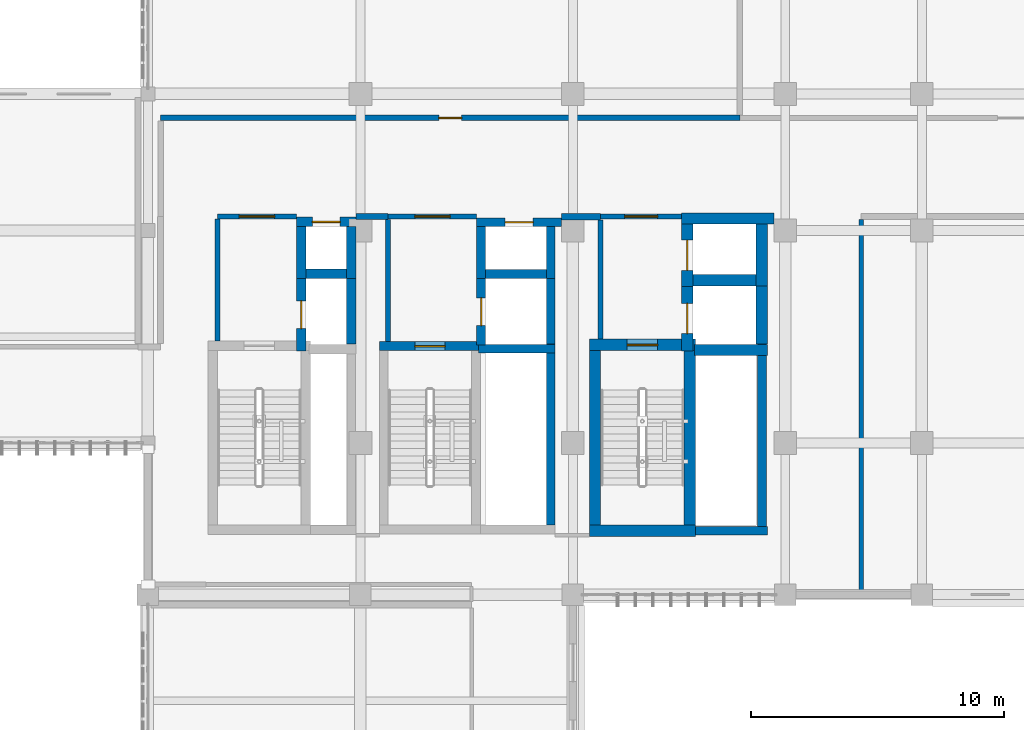
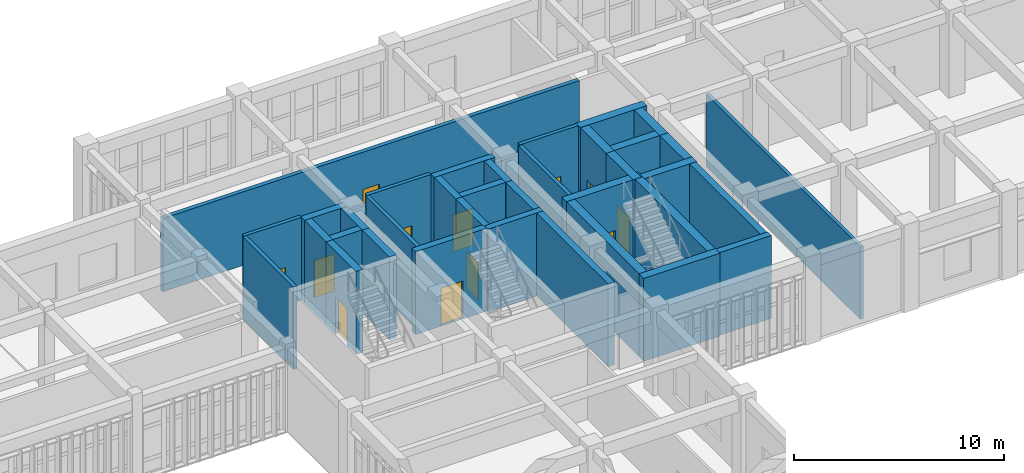
# One storey, part 96 of 106: 38 walls, 12 doors, 12 openings.
"""IFC4 building model written with IfcOpenShell, lengths in metres."""

from ifc_helpers import new_model, si_unit, direction, frame, frame_2d, origin, place, context, subcontext, project, spatial, rectangle, extrude, material, layer, layer_set, type_object, element, fill, save


model = new_model("IFC4")

# Units and contexts
model_context = context("Model", 3, precision=1e-05, world=origin(), true_north=direction((0.0, 1.0)))
body_context = subcontext(model_context, "Body", "Model", "MODEL_VIEW")
ifc_project = project(units=[si_unit("LENGTHUNIT", "METRE"), si_unit("AREAUNIT", "SQUARE_METRE"), si_unit("VOLUMEUNIT", "CUBIC_METRE"), si_unit("PLANEANGLEUNIT", "RADIAN"), si_unit("MASSUNIT", "GRAM", prefix="KILO")], contexts=[model_context])

# Site, building, storey
site_placement = place(None, origin())
site = spatial("IfcSite", under=ifc_project, at=site_placement, CompositionType="ELEMENT")
building_placement = place(site_placement, origin())
building = spatial("IfcBuilding", under=site, at=building_placement, Name="Krzemoval Escarpment Law Courts", CompositionType="ELEMENT")
storey_placement = place(building_placement, frame((0.0, 0.0, 5.10009765625)))
storey = spatial("IfcBuildingStorey", under=building, at=storey_placement, Name="L01", CompositionType="ELEMENT", Elevation=5.10009765625)

# Wall
ifc_material_1 = material(Name="Judicial Chambers Acoustic Partition", Category="gypsum")
ifc_layer_1 = layer(ifc_material_1, 0.179931640625)
ifc_layer_set_1 = layer_set([ifc_layer_1], Name="Judicial Chambers Acoustic Partition")
wall_type_1 = type_object("IfcWallType", Name="WL-PRT-180", PredefinedType="PARTITIONING", material=ifc_layer_set_1)
wall_1_placement = place(storey_placement, frame((154.199951171875, 93.751953125, 0.0), z_axis=(0.0, 0.0, 1.0), x_axis=(0.0, 1.0, 0.0)))
element("IfcWall", 1, at=wall_1_placement, inside=storey, type_object=wall_type_1, Name="Interior Partition PW-L01-0360", PredefinedType="PARTITIONING", context=body_context, shape_type="SweptSolid", body=[
    extrude(rectangle(XDim=14.676025390625, YDim=0.179931640625, at=frame_2d((7.337890625, 0.0))), origin(), (0.0, 0.0, 1.0), 4.219970703125),
])

# Wall, opening, door
ifc_material_2 = material(Name="Fire-Rated Corridor Partition Wall", Category="gypsum")
ifc_layer_2 = layer(ifc_material_2, 0.199951171875)
ifc_layer_set_2 = layer_set([ifc_layer_2], Name="Fire-Rated Corridor Partition Wall")
wall_type_2 = type_object("IfcWallType", Name="WL-PRT-200", PredefinedType="PARTITIONING", material=ifc_layer_set_2)
wall_2_placement = place(storey_placement, frame((128.75, 108.550048828125, 0.0), z_axis=(0.0, 0.0, 1.0), x_axis=(1.0, 0.0, 0.0)))
wall_2 = element("IfcWall", 2, at=wall_2_placement, inside=storey, type_object=wall_type_2, Name="Interior Partition PW-L01-0288", PredefinedType="PARTITIONING", context=body_context, shape_type="SweptSolid", body=[
    extrude(rectangle(XDim=3.1201171875, YDim=0.199951171875, at=frame_2d((1.56005859375, 0.0))), origin(), (0.0, 0.0, 1.0), 4.81982421875),
])
opening_1_placement = place(wall_2_placement, frame((0.860107421875, 0.0, 0.0)))
opening_1 = element("IfcOpeningElement", 3, at=opening_1_placement, cuts=wall_2, Name="Opening D-L01-0080", PredefinedType="OPENING", context=body_context, shape_type="SweptSolid", body=[
    extrude(rectangle(XDim=1.39990234375, YDim=2.199951171875, at=frame_2d((0.699951171875, 1.10009765625))), frame((0.0, 0.11498, 0.0), z_axis=(0.0, -1.0, 0.0), x_axis=(1.0, 0.0, 0.0)), (0.0, 0.0, 1.0), 0.22995),
])
ifc_material_3 = material(Name="Galvanised Steel S355", Category="steel")
door_type_1 = type_object("IfcDoorType", Name="DR-FFL-1400x2200", OperationType="SINGLE_SWING_LEFT", PredefinedType="DOOR", material=ifc_material_3)
door_1_placement = place(opening_1_placement, origin())
door_1 = element("IfcDoor", 4, at=door_1_placement, inside=storey, type_object=door_type_1, Name="Room Door D-L01-0080", OperationType="SINGLE_SWING_LEFT", OverallHeight=2.199951171875, OverallWidth=1.39990234375, PredefinedType="DOOR", context=body_context, shape_type="SweptSolid", body=[
    extrude(rectangle(XDim=1.39990234375, YDim=2.199951171875, at=frame_2d((0.699951171875, 1.10009765625))), frame((0.0, 0.02490234375, 0.0), z_axis=(0.0, -1.0, 0.0), x_axis=(1.0, 0.0, 0.0)), (0.0, 0.0, 1.0), 0.050048828125),
])
fill(opening_1, door_1)

wall_3_placement = place(storey_placement, frame((135.5, 108.550048828125, 0.0), z_axis=(0.0, 0.0, 1.0), x_axis=(1.0, 0.0, 0.0)))
wall_3 = element("IfcWall", 5, at=wall_3_placement, inside=storey, type_object=wall_type_2, Name="Interior Partition PW-L01-0289", PredefinedType="PARTITIONING", context=body_context, shape_type="SweptSolid", body=[
    extrude(rectangle(XDim=3.5, YDim=0.199951171875, at=frame_2d((1.75, 0.0))), origin(), (0.0, 0.0, 1.0), 4.81982421875),
])
opening_2_placement = place(wall_3_placement, frame((1.050048828125, 0.0, 0.0)))
opening_2 = element("IfcOpeningElement", 6, at=opening_2_placement, cuts=wall_3, Name="Opening D-L01-0081", PredefinedType="OPENING", context=body_context, shape_type="SweptSolid", body=[
    extrude(rectangle(XDim=1.39990234375, YDim=2.199951171875, at=frame_2d((0.699951171875, 1.10009765625))), frame((0.0, 0.11498, 0.0), z_axis=(0.0, -1.0, 0.0), x_axis=(1.0, 0.0, 0.0)), (0.0, 0.0, 1.0), 0.22995),
])
door_2_placement = place(opening_2_placement, origin())
door_2 = element("IfcDoor", 7, at=door_2_placement, inside=storey, type_object=door_type_1, Name="Room Door D-L01-0081", OperationType="SINGLE_SWING_LEFT", OverallHeight=2.199951171875, OverallWidth=1.39990234375, PredefinedType="DOOR", context=body_context, shape_type="SweptSolid", body=[
    extrude(rectangle(XDim=1.39990234375, YDim=2.199951171875, at=frame_2d((0.699951171875, 1.10009765625))), frame((0.0, 0.02490234375, 0.0), z_axis=(0.0, -1.0, 0.0), x_axis=(1.0, 0.0, 0.0)), (0.0, 0.0, 1.0), 0.050048828125),
])
fill(opening_2, door_2)

wall_4_placement = place(storey_placement, frame((143.89990234375, 108.550048828125, 0.0), z_axis=(0.0, 0.0, 1.0), x_axis=(1.0, 0.0, 0.0)))
wall_4 = element("IfcWall", 8, at=wall_4_placement, inside=storey, type_object=wall_type_2, Name="Interior Partition PW-L01-0290", PredefinedType="PARTITIONING", context=body_context, shape_type="SweptSolid", body=[
    extrude(rectangle(XDim=3.2001953125, YDim=0.199951171875, at=frame_2d((1.60009765625, 0.0))), origin(), (0.0, 0.0, 1.0), 4.81982421875),
])
opening_3_placement = place(wall_4_placement, frame((0.949951171875, 0.0, 0.0)))
opening_3 = element("IfcOpeningElement", 9, at=opening_3_placement, cuts=wall_4, Name="Opening D-L01-0082", PredefinedType="OPENING", context=body_context, shape_type="SweptSolid", body=[
    extrude(rectangle(XDim=1.300048828125, YDim=2.199951171875, at=frame_2d((0.64990234375, 1.10009765625))), frame((0.0, 0.11498, 0.0), z_axis=(0.0, -1.0, 0.0), x_axis=(1.0, 0.0, 0.0)), (0.0, 0.0, 1.0), 0.22995),
])
ifc_material_4 = material(Name="Galvanised Steel S355", Category="steel")
door_type_2 = type_object("IfcDoorType", Name="DR-STR-1300x2200", OperationType="SINGLE_SWING_LEFT", PredefinedType="DOOR", material=ifc_material_4)
door_3_placement = place(opening_3_placement, origin())
door_3 = element("IfcDoor", 10, at=door_3_placement, inside=storey, type_object=door_type_2, Name="Room Door D-L01-0082", OperationType="SINGLE_SWING_RIGHT", OverallHeight=2.199951171875, OverallWidth=1.300048828125, PredefinedType="DOOR", context=body_context, shape_type="SweptSolid", body=[
    extrude(rectangle(XDim=1.300048828125, YDim=2.199951171875, at=frame_2d((0.64990234375, 1.10009765625))), frame((0.0, 0.02490234375, 0.0), z_axis=(0.0, -1.0, 0.0), x_axis=(1.0, 0.0, 0.0)), (0.0, 0.0, 1.0), 0.050048828125),
])
fill(opening_3, door_3)

# Walls
wall_5_placement = place(storey_placement, frame((128.75, 103.632080078125, 0.0), z_axis=(0.0, 0.0, 1.0), x_axis=(0.0, 1.0, 0.0)))
element("IfcWall", 11, at=wall_5_placement, inside=storey, type_object=wall_type_2, Name="Interior Partition PW-L01-0350", PredefinedType="PARTITIONING", context=body_context, shape_type="SweptSolid", body=[
    extrude(rectangle(XDim=4.81591796875, YDim=0.199951171875, at=frame_2d((2.407958984375, 0.0))), origin(), (0.0, 0.0, 1.0), 4.81982421875),
])
wall_6_placement = place(storey_placement, frame((135.5, 103.60205078125, 0.0), z_axis=(0.0, 0.0, 1.0), x_axis=(0.0, 1.0, 0.0)))
element("IfcWall", 12, at=wall_6_placement, inside=storey, type_object=wall_type_2, Name="Interior Partition PW-L01-0352", PredefinedType="PARTITIONING", context=body_context, shape_type="SweptSolid", body=[
    extrude(rectangle(XDim=4.8310546875, YDim=0.199951171875, at=frame_2d((2.41552734375, 0.0))), origin(), (0.0, 0.0, 1.0), 4.81982421875),
])
wall_7_placement = place(storey_placement, frame((143.89990234375, 103.701904296875, 0.0), z_axis=(0.0, 0.0, 1.0), x_axis=(0.0, 1.0, 0.0)))
element("IfcWall", 13, at=wall_7_placement, inside=storey, type_object=wall_type_2, Name="Interior Partition PW-L01-0358", PredefinedType="PARTITIONING", context=body_context, shape_type="SweptSolid", body=[
    extrude(rectangle(XDim=4.716064453125, YDim=0.199951171875, at=frame_2d((2.35791015625, 0.0))), origin(), (0.0, 0.0, 1.0), 4.81982421875),
])

# Wall, opening, door
ifc_material_5 = material(Name="Solid Calcium-Silicate Custody Blockwork Partition", Category="masonry")
ifc_layer_3 = layer(ifc_material_5, 0.219970703125)
ifc_layer_set_3 = layer_set([ifc_layer_3], Name="Solid Calcium-Silicate Custody Blockwork Partition")
wall_type_3 = type_object("IfcWallType", Name="WL-PRT-220", PredefinedType="PARTITIONING", material=ifc_layer_set_3)
wall_8_placement = place(storey_placement, frame((126.5, 112.449951171875, 0.0), z_axis=(0.0, 0.0, 1.0), x_axis=(1.0, 0.0, 0.0)))
wall_8 = element("IfcWall", 14, at=wall_8_placement, inside=storey, type_object=wall_type_3, Name="Interior Partition PW-L01-0294", PredefinedType="PARTITIONING", context=body_context, shape_type="SweptSolid", body=[
    extrude(rectangle(XDim=22.89990234375, YDim=0.219970703125, at=frame_2d((11.449951171875, 0.0))), origin(), (0.0, 0.0, 1.0), 4.27001953125),
])
opening_4_placement = place(wall_8_placement, frame((11.0, 0.0, 0.0)))
opening_4 = element("IfcOpeningElement", 15, at=opening_4_placement, cuts=wall_8, Name="Opening D-L01-0123", PredefinedType="OPENING", context=body_context, shape_type="SweptSolid", body=[
    extrude(rectangle(XDim=0.89990234375, YDim=2.10009765625, at=frame_2d((0.449951171875, 1.050048828125))), frame((0.0, 0.12499, 0.0), z_axis=(0.0, -1.0, 0.0), x_axis=(1.0, 0.0, 0.0)), (0.0, 0.0, 1.0), 0.24997),
])
ifc_material_6 = material(Name="Engineered Solid-Core Oak Acoustic Timber", Category="wood")
door_type_3 = type_object("IfcDoorType", Name="DR-INT-900x2100", OperationType="SINGLE_SWING_LEFT", PredefinedType="DOOR", material=ifc_material_6)
door_4_placement = place(opening_4_placement, origin())
door_4 = element("IfcDoor", 16, at=door_4_placement, inside=storey, type_object=door_type_3, Name="Room Door D-L01-0123", OperationType="SINGLE_SWING_RIGHT", OverallHeight=2.10009765625, OverallWidth=0.89990234375, PredefinedType="DOOR", context=body_context, shape_type="SweptSolid", body=[
    extrude(rectangle(XDim=0.89990234375, YDim=2.10009765625, at=frame_2d((0.449951171875, 1.050048828125))), frame((0.0, 0.02490234375, 0.0), z_axis=(0.0, -1.0, 0.0), x_axis=(1.0, 0.0, 0.0)), (0.0, 0.0, 1.0), 0.050048828125),
])
fill(opening_4, door_4)

# Walls
ifc_material_7 = material(Name="Acoustic Calcium-Silicate Block Wall", Category="masonry")
ifc_layer_4 = layer(ifc_material_7, 0.22998046875)
ifc_layer_set_4 = layer_set([ifc_layer_4], Name="Acoustic Calcium-Silicate Block Wall")
wall_type_4 = type_object("IfcWallType", Name="WL-PRT-230", PredefinedType="SOLIDWALL", material=ifc_layer_set_4)
wall_9_placement = place(storey_placement, frame((134.22998046875, 108.550048828125, 0.0), z_axis=(0.0, 0.0, 1.0), x_axis=(1.0, 0.0, 0.0)))
element("IfcWall", 17, at=wall_9_placement, inside=storey, type_object=wall_type_4, Name="Interior Partition PW-L01-0291", PredefinedType="SOLIDWALL", context=body_context, shape_type="SweptSolid", body=[
    extrude(rectangle(XDim=1.27001953125, YDim=0.22998046875, at=frame_2d((0.635009765625, 0.0))), origin(), (0.0, 0.0, 1.0), 4.27001953125),
])
ifc_material_8 = material(Name="Acoustic Double-Stud Gypsum and Mineral Wool Wall", Category="gypsum")
ifc_layer_5 = layer(ifc_material_8, 0.260009765625)
ifc_layer_set_5 = layer_set([ifc_layer_5], Name="Acoustic Double-Stud Gypsum and Mineral Wool Wall")
wall_type_5 = type_object("IfcWallType", Name="WL-PRT-260", PredefinedType="PARTITIONING", material=ifc_layer_set_5)
wall_10_placement = place(storey_placement, frame((142.35498046875, 108.550048828125, 0.0), z_axis=(0.0, 0.0, 1.0), x_axis=(1.0, 0.0, 0.0)))
element("IfcWall", 18, at=wall_10_placement, inside=storey, type_object=wall_type_5, Name="Interior Partition PW-L01-0292", PredefinedType="PARTITIONING", context=body_context, shape_type="SweptSolid", body=[
    extrude(rectangle(XDim=1.544921875, YDim=0.260009765625, at=frame_2d((0.7724609375, 0.0))), origin(), (0.0, 0.0, 1.0), 4.27001953125),
])

# Wall, opening, door
ifc_material_9 = material(Name="Concrete C40/50", Category="concrete")
ifc_layer_6 = layer(ifc_material_9, 0.35009765625)
ifc_layer_set_6 = layer_set([ifc_layer_6], Name="Concrete C40/50")
wall_type_6 = type_object("IfcWallType", Name="WL-SHW-350", PredefinedType="SHEAR", material=ifc_layer_set_6)
wall_11_placement = place(storey_placement, frame((135.14990234375, 103.425048828125, 0.0), z_axis=(0.0, 0.0, 1.0), x_axis=(1.0, 0.0, 0.0)))
wall_11 = element("IfcWall", 19, at=wall_11_placement, inside=storey, type_object=wall_type_6, Name="Core Stair Shear Wall SW-L01-0177", PredefinedType="SHEAR", context=body_context, shape_type="SweptSolid", body=[
    extrude(rectangle(XDim=4.0, YDim=0.35009765625, at=frame_2d((2.0, 0.0))), origin(), (0.0, 0.0, 1.0), 4.81982421875),
])
opening_5_placement = place(wall_11_placement, frame((1.39990234375, 0.0, 0.0)))
opening_5 = element("IfcOpeningElement", 20, at=opening_5_placement, cuts=wall_11, Name="Opening SD-ST2-L01", PredefinedType="OPENING", context=body_context, shape_type="SweptSolid", body=[
    extrude(rectangle(XDim=1.199951171875, YDim=2.199951171875, at=frame_2d((0.60009765625, 1.10009765625))), frame((0.0, 0.19005, 0.0), z_axis=(0.0, -1.0, 0.0), x_axis=(1.0, 0.0, 0.0)), (0.0, 0.0, 1.0), 0.3801),
])
ifc_material_10 = material(Name="Galvanised Steel S355", Category="steel")
door_type_4 = type_object("IfcDoorType", Name="DR-STR-1200x2200", OperationType="SINGLE_SWING_LEFT", PredefinedType="DOOR", material=ifc_material_10)
door_5_placement = place(opening_5_placement, origin())
door_5 = element("IfcDoor", 21, at=door_5_placement, inside=storey, type_object=door_type_4, Name="Stair Exit Door SD-ST2-L01", OperationType="SINGLE_SWING_LEFT", OverallHeight=2.199951171875, OverallWidth=1.199951171875, PredefinedType="DOOR", context=body_context, shape_type="SweptSolid", body=[
    extrude(rectangle(XDim=1.199951171875, YDim=2.199951171875, at=frame_2d((0.60009765625, 1.10009765625))), frame((0.0, 0.02490234375, 0.0), z_axis=(0.0, -1.0, 0.0), x_axis=(1.0, 0.0, 0.0)), (0.0, 0.0, 1.0), 0.050048828125),
])
fill(opening_5, door_5)

# Walls
wall_12_placement = place(storey_placement, frame((139.068115234375, 103.324951171875, 0.0), z_axis=(0.0, 0.0, 1.0), x_axis=(1.0, 0.0, 0.0)))
element("IfcWall", 22, at=wall_12_placement, inside=storey, type_object=wall_type_6, Name="Lift Shaft Shear Wall SW-L01-0181", PredefinedType="SHEAR", context=body_context, shape_type="SweptSolid", body=[
    extrude(rectangle(XDim=3.031982421875, YDim=0.35009765625, at=frame_2d((1.51611328125, 0.0))), origin(), (0.0, 0.0, 1.0), 4.81982421875),
])
wall_13_placement = place(storey_placement, frame((139.0, 106.27490234375, 0.0), z_axis=(0.0, 0.0, 1.0), x_axis=(1.0, 0.0, 0.0)))
element("IfcWall", 23, at=wall_13_placement, inside=storey, type_object=wall_type_6, Name="Lift Shaft Shear Wall SW-L01-0182", PredefinedType="SHEAR", context=body_context, shape_type="SweptSolid", body=[
    extrude(rectangle(XDim=3.10009765625, YDim=0.35009765625, at=frame_2d((1.550048828125, 0.0))), origin(), (0.0, 0.0, 1.0), 4.81982421875),
])

# Wall, opening, door
wall_14_placement = place(storey_placement, frame((139.175048828125, 103.471923828125, 0.0), z_axis=(0.0, 0.0, 1.0), x_axis=(0.0, 1.0, 0.0)))
wall_14 = element("IfcWall", 24, at=wall_14_placement, inside=storey, type_object=wall_type_6, Name="Lift Shaft Shear Wall SW-L01-0183", PredefinedType="SHEAR", context=body_context, shape_type="SweptSolid", body=[
    extrude(rectangle(XDim=2.6259765625, YDim=0.35009765625, at=frame_2d((1.31298828125, 0.0))), origin(), (0.0, 0.0, 1.0), 4.81982421875),
])
opening_6_placement = place(wall_14_placement, frame((0.762939453125, 0.0, 0.0)))
opening_6 = element("IfcOpeningElement", 25, at=opening_6_placement, cuts=wall_14, Name="Opening LD-FL2-L01", PredefinedType="OPENING", context=body_context, shape_type="SweptSolid", body=[
    extrude(rectangle(XDim=1.10009765625, YDim=2.14990234375, at=frame_2d((0.550048828125, 1.074951171875))), frame((0.0, 0.19005, 0.0), z_axis=(0.0, -1.0, 0.0), x_axis=(1.0, 0.0, 0.0)), (0.0, 0.0, 1.0), 0.3801),
])
ifc_material_11 = material(Name="Stainless Steel Grade 304", Category="steel")
door_type_5 = type_object("IfcDoorType", Name="DR-LFT-1100x2150", OperationType="SINGLE_SWING_LEFT", PredefinedType="DOOR", material=ifc_material_11)
door_6_placement = place(opening_6_placement, origin())
door_6 = element("IfcDoor", 26, at=door_6_placement, inside=storey, type_object=door_type_5, Name="Lift Landing Door LD-FL2-L01", OperationType="DOUBLE_DOOR_SLIDING", OverallHeight=2.14990234375, OverallWidth=1.10009765625, PredefinedType="DOOR", context=body_context, shape_type="SweptSolid", body=[
    extrude(rectangle(XDim=1.10009765625, YDim=2.14990234375, at=frame_2d((0.550048828125, 1.074951171875))), frame((0.0, 0.02490234375, 0.0), z_axis=(0.0, -1.0, 0.0), x_axis=(1.0, 0.0, 0.0)), (0.0, 0.0, 1.0), 0.050048828125),
])
fill(opening_6, door_6)

# Wall
wall_15_placement = place(storey_placement, frame((141.925048828125, 103.501953125, 0.0), z_axis=(0.0, 0.0, 1.0), x_axis=(0.0, 1.0, 0.0)))
element("IfcWall", 27, at=wall_15_placement, inside=storey, type_object=wall_type_6, Name="Lift Shaft Shear Wall SW-L01-0184", PredefinedType="SHEAR", context=body_context, shape_type="SweptSolid", body=[
    extrude(rectangle(XDim=2.595947265625, YDim=0.35009765625, at=frame_2d((1.2978515625, 0.0))), origin(), (0.0, 0.0, 1.0), 4.81982421875),
])

# Wall, opening, door
wall_16_placement = place(storey_placement, frame((139.0, 108.324951171875, 0.0), z_axis=(0.0, 0.0, 1.0), x_axis=(1.0, 0.0, 0.0)))
wall_16 = element("IfcWall", 28, at=wall_16_placement, inside=storey, type_object=wall_type_6, Name="Lift Shaft Shear Wall SW-L01-0185", PredefinedType="SHEAR", context=body_context, shape_type="SweptSolid", body=[
    extrude(rectangle(XDim=3.35498046875, YDim=0.35009765625, at=frame_2d((1.677490234375, 0.0))), origin(), (0.0, 0.0, 1.0), 4.81982421875),
])
opening_7_placement = place(wall_16_placement, frame((1.126953125, 0.0, 0.0)))
opening_7 = element("IfcOpeningElement", 29, at=opening_7_placement, cuts=wall_16, Name="Opening LD-JL2-L01", PredefinedType="OPENING", context=body_context, shape_type="SweptSolid", body=[
    extrude(rectangle(XDim=1.10009765625, YDim=2.14990234375, at=frame_2d((0.550048828125, 1.074951171875))), frame((0.0, 0.19005, 0.0), z_axis=(0.0, -1.0, 0.0), x_axis=(1.0, 0.0, 0.0)), (0.0, 0.0, 1.0), 0.3801),
])
door_7_placement = place(opening_7_placement, origin())
door_7 = element("IfcDoor", 30, at=door_7_placement, inside=storey, type_object=door_type_5, Name="Lift Landing Door LD-JL2-L01", OperationType="DOUBLE_DOOR_SLIDING", OverallHeight=2.14990234375, OverallWidth=1.10009765625, PredefinedType="DOOR", context=body_context, shape_type="SweptSolid", body=[
    extrude(rectangle(XDim=1.10009765625, YDim=2.14990234375, at=frame_2d((0.550048828125, 1.074951171875))), frame((0.0, 0.02490234375, 0.0), z_axis=(0.0, -1.0, 0.0), x_axis=(1.0, 0.0, 0.0)), (0.0, 0.0, 1.0), 0.050048828125),
])
fill(opening_7, door_7)

# Walls
for number, where, z_axis, x_axis, name in (
    (31, (139.175048828125, 106.093017578125, 0.0), (0.0, 0.0, 1.0), (0.0, 1.0, 0.0), "Lift Shaft Shear Wall SW-L01-0186"),
    (32, (141.925048828125, 106.093017578125, 0.0), (0.0, 0.0, 1.0), (0.0, 1.0, 0.0), "Lift Shaft Shear Wall SW-L01-0187"),
):
    element("IfcWall", number, at=place(storey_placement, frame(where, z_axis=z_axis, x_axis=x_axis)), inside=storey, type_object=wall_type_6, Name=name, PredefinedType="SHEAR", context=body_context, shape_type="SweptSolid", body=[
        extrude(rectangle(XDim=2.054931640625, YDim=0.35009765625, at=frame_2d((1.02734375, 0.0))), origin(), (0.0, 0.0, 1.0), 4.81982421875),
    ])
wall_17_placement = place(storey_placement, frame((141.925048828125, 96.35205078125, 0.0), z_axis=(0.0, 0.0, 1.0), x_axis=(0.0, 1.0, 0.0)))
element("IfcWall", 33, at=wall_17_placement, inside=storey, type_object=wall_type_6, Name="Riser Shaft Wall SW-L01-0189", PredefinedType="SHEAR", context=body_context, shape_type="SweptSolid", body=[
    extrude(rectangle(XDim=7.155029296875, YDim=0.35009765625, at=frame_2d((3.57763671875, 0.0))), origin(), (0.0, 0.0, 1.0), 4.81982421875),
])
wall_18_placement = place(storey_placement, frame((147.64990234375, 96.125, 0.0), z_axis=(0.0, 0.0, 1.0), x_axis=(1.0, 0.0, 0.0)))
element("IfcWall", 34, at=wall_18_placement, inside=storey, type_object=wall_type_6, Name="Riser Shaft Wall SW-L01-0338", PredefinedType="SHEAR", context=body_context, shape_type="SweptSolid", body=[
    extrude(rectangle(XDim=2.85009765625, YDim=0.35009765625, at=frame_2d((1.425048828125, 0.0))), origin(), (0.0, 0.0, 1.0), 4.81982421875),
])
wall_19_placement = place(storey_placement, frame((150.27490234375, 96.294921875, 0.0), z_axis=(0.0, 0.0, 1.0), x_axis=(0.0, 1.0, 0.0)))
element("IfcWall", 35, at=wall_19_placement, inside=storey, type_object=wall_type_6, Name="Riser Shaft Wall SW-L01-0339", PredefinedType="SHEAR", context=body_context, shape_type="SweptSolid", body=[
    extrude(rectangle(XDim=7.212158203125, YDim=0.35009765625, at=frame_2d((3.60595703125, 0.0))), origin(), (0.0, 0.0, 1.0), 4.81982421875),
])
ifc_material_12 = material(Name="Concrete C40/50", Category="concrete")
ifc_layer_7 = layer(ifc_material_12, 0.3798828125)
ifc_layer_set_7 = layer_set([ifc_layer_7], Name="Concrete C40/50")
wall_type_7 = type_object("IfcWallType", Name="WL-SHW-380", PredefinedType="SHEAR", material=ifc_layer_set_7)
wall_20_placement = place(storey_placement, frame((131.8701171875, 106.2900390625, 0.0), z_axis=(0.0, 0.0, 1.0), x_axis=(1.0, 0.0, 0.0)))
element("IfcWall", 36, at=wall_20_placement, inside=storey, type_object=wall_type_7, Name="Lift Shaft Shear Wall SW-L01-0032", PredefinedType="SHEAR", context=body_context, shape_type="SweptSolid", body=[
    extrude(rectangle(XDim=2.35986328125, YDim=0.3798828125, at=frame_2d((1.179931640625, 0.0))), origin(), (0.0, 0.0, 1.0), 4.81982421875),
])

# Wall, opening, door
wall_21_placement = place(storey_placement, frame((132.06005859375, 103.242919921875, 0.0), z_axis=(0.0, 0.0, 1.0), x_axis=(0.0, 1.0, 0.0)))
wall_21 = element("IfcWall", 37, at=wall_21_placement, inside=storey, type_object=wall_type_7, Name="Lift Shaft Shear Wall SW-L01-0033", PredefinedType="SHEAR", context=body_context, shape_type="SweptSolid", body=[
    extrude(rectangle(XDim=2.85498046875, YDim=0.3798828125, at=frame_2d((1.427490234375, 0.0))), origin(), (0.0, 0.0, 1.0), 4.81982421875),
])
opening_8_placement = place(wall_21_placement, frame((0.8779296875, 0.0, 0.0)))
opening_8 = element("IfcOpeningElement", 38, at=opening_8_placement, cuts=wall_21, Name="Opening LD-FL1-L01", PredefinedType="OPENING", context=body_context, shape_type="SweptSolid", body=[
    extrude(rectangle(XDim=1.10009765625, YDim=2.14990234375, at=frame_2d((0.550048828125, 1.074951171875))), frame((0.0, 0.20494, 0.0), z_axis=(0.0, -1.0, 0.0), x_axis=(1.0, 0.0, 0.0)), (0.0, 0.0, 1.0), 0.40988),
])
door_8_placement = place(opening_8_placement, origin())
door_8 = element("IfcDoor", 39, at=door_8_placement, inside=storey, type_object=door_type_5, Name="Lift Landing Door LD-FL1-L01", OperationType="DOUBLE_DOOR_SLIDING", OverallHeight=2.14990234375, OverallWidth=1.10009765625, PredefinedType="DOOR", context=body_context, shape_type="SweptSolid", body=[
    extrude(rectangle(XDim=1.10009765625, YDim=2.14990234375, at=frame_2d((0.550048828125, 1.074951171875))), frame((0.0, 0.02490234375, 0.0), z_axis=(0.0, -1.0, 0.0), x_axis=(1.0, 0.0, 0.0)), (0.0, 0.0, 1.0), 0.050048828125),
])
fill(opening_8, door_8)

# Wall
wall_22_placement = place(storey_placement, frame((134.0400390625, 103.501953125, 0.0), z_axis=(0.0, 0.0, 1.0), x_axis=(0.0, 1.0, 0.0)))
element("IfcWall", 40, at=wall_22_placement, inside=storey, type_object=wall_type_7, Name="Lift Shaft Shear Wall SW-L01-0034", PredefinedType="SHEAR", context=body_context, shape_type="SweptSolid", body=[
    extrude(rectangle(XDim=2.595947265625, YDim=0.3798828125, at=frame_2d((1.2978515625, 0.0))), origin(), (0.0, 0.0, 1.0), 4.81982421875),
])

# Wall, opening, door
wall_23_placement = place(storey_placement, frame((131.8701171875, 108.340087890625, 0.0), z_axis=(0.0, 0.0, 1.0), x_axis=(1.0, 0.0, 0.0)))
wall_23 = element("IfcWall", 41, at=wall_23_placement, inside=storey, type_object=wall_type_7, Name="Lift Shaft Shear Wall SW-L01-0035", PredefinedType="SHEAR", context=body_context, shape_type="SweptSolid", body=[
    extrude(rectangle(XDim=2.35986328125, YDim=0.3798828125, at=frame_2d((1.179931640625, 0.0))), origin(), (0.0, 0.0, 1.0), 4.81982421875),
])
opening_9_placement = place(wall_23_placement, frame((0.6298828125, 0.0, 0.0)))
opening_9 = element("IfcOpeningElement", 42, at=opening_9_placement, cuts=wall_23, Name="Opening LD-JL1-L01", PredefinedType="OPENING", context=body_context, shape_type="SweptSolid", body=[
    extrude(rectangle(XDim=1.10009765625, YDim=2.14990234375, at=frame_2d((0.550048828125, 1.074951171875))), frame((0.0, 0.20494, 0.0), z_axis=(0.0, -1.0, 0.0), x_axis=(1.0, 0.0, 0.0)), (0.0, 0.0, 1.0), 0.40988),
])
door_9_placement = place(opening_9_placement, origin())
door_9 = element("IfcDoor", 43, at=door_9_placement, inside=storey, type_object=door_type_5, Name="Lift Landing Door LD-JL1-L01", OperationType="DOUBLE_DOOR_SLIDING", OverallHeight=2.14990234375, OverallWidth=1.10009765625, PredefinedType="DOOR", context=body_context, shape_type="SweptSolid", body=[
    extrude(rectangle(XDim=1.10009765625, YDim=2.14990234375, at=frame_2d((0.550048828125, 1.074951171875))), frame((0.0, 0.02490234375, 0.0), z_axis=(0.0, -1.0, 0.0), x_axis=(1.0, 0.0, 0.0)), (0.0, 0.0, 1.0), 0.050048828125),
])
fill(opening_9, door_9)

# Walls
for number, where, z_axis, x_axis, name in (
    (44, (132.06005859375, 106.093017578125, 0.0), (0.0, 0.0, 1.0), (0.0, 1.0, 0.0), "Lift Shaft Shear Wall SW-L01-0036"),
    (45, (134.0400390625, 106.093017578125, 0.0), (0.0, 0.0, 1.0), (0.0, 1.0, 0.0), "Lift Shaft Shear Wall SW-L01-0037"),
):
    element("IfcWall", number, at=place(storey_placement, frame(where, z_axis=z_axis, x_axis=x_axis)), inside=storey, type_object=wall_type_7, Name=name, PredefinedType="SHEAR", context=body_context, shape_type="SweptSolid", body=[
        extrude(rectangle(XDim=2.054931640625, YDim=0.3798828125, at=frame_2d((1.02734375, 0.0))), origin(), (0.0, 0.0, 1.0), 4.81982421875),
    ])

# Wall, opening, door
ifc_material_13 = material(Name="Concrete C40/50", Category="concrete")
ifc_layer_8 = layer(ifc_material_13, 0.449951171875)
ifc_layer_set_8 = layer_set([ifc_layer_8], Name="Concrete C40/50")
wall_type_8 = type_object("IfcWallType", Name="WL-SHW-450", PredefinedType="SHEAR", material=ifc_layer_set_8)
wall_24_placement = place(storey_placement, frame((143.449951171875, 103.47509765625, 0.0), z_axis=(0.0, 0.0, 1.0), x_axis=(1.0, 0.0, 0.0)))
wall_24 = element("IfcWall", 46, at=wall_24_placement, inside=storey, type_object=wall_type_8, Name="Core Stair Shear Wall SW-L01-0327", PredefinedType="SHEAR", context=body_context, shape_type="SweptSolid", body=[
    extrude(rectangle(XDim=4.199951171875, YDim=0.449951171875, at=frame_2d((2.10009765625, 0.0))), origin(), (0.0, 0.0, 1.0), 4.81982421875),
])
opening_10_placement = place(wall_24_placement, frame((1.5, 0.0, 0.0)))
opening_10 = element("IfcOpeningElement", 47, at=opening_10_placement, cuts=wall_24, Name="Opening SD-ST3-L01", PredefinedType="OPENING", context=body_context, shape_type="SweptSolid", body=[
    extrude(rectangle(XDim=1.199951171875, YDim=2.199951171875, at=frame_2d((0.60009765625, 1.10009765625))), frame((0.0, 0.23998, 0.0), z_axis=(0.0, -1.0, 0.0), x_axis=(1.0, 0.0, 0.0)), (0.0, 0.0, 1.0), 0.47995),
])
door_10_placement = place(opening_10_placement, origin())
door_10 = element("IfcDoor", 48, at=door_10_placement, inside=storey, type_object=door_type_4, Name="Stair Exit Door SD-ST3-L01", OperationType="SINGLE_SWING_RIGHT", OverallHeight=2.199951171875, OverallWidth=1.199951171875, PredefinedType="DOOR", context=body_context, shape_type="SweptSolid", body=[
    extrude(rectangle(XDim=1.199951171875, YDim=2.199951171875, at=frame_2d((0.60009765625, 1.10009765625))), frame((0.0, 0.02490234375, 0.0), z_axis=(0.0, -1.0, 0.0), x_axis=(1.0, 0.0, 0.0)), (0.0, 0.0, 1.0), 0.050048828125),
])
fill(opening_10, door_10)

# Walls
wall_25_placement = place(storey_placement, frame((143.449951171875, 96.125, 0.0), z_axis=(0.0, 0.0, 1.0), x_axis=(1.0, 0.0, 0.0)))
element("IfcWall", 49, at=wall_25_placement, inside=storey, type_object=wall_type_8, Name="Core Stair Shear Wall SW-L01-0328", PredefinedType="SHEAR", context=body_context, shape_type="SweptSolid", body=[
    extrude(rectangle(XDim=4.199951171875, YDim=0.449951171875, at=frame_2d((2.10009765625, 0.0))), origin(), (0.0, 0.0, 1.0), 4.81982421875),
])
for number, where, z_axis, x_axis, name in (
    (50, (143.675048828125, 96.35205078125, 0.0), (0.0, 0.0, 1.0), (0.0, 1.0, 0.0), "Core Stair Shear Wall SW-L01-0329"),
    (51, (147.425048828125, 96.35205078125, 0.0), (0.0, 0.0, 1.0), (0.0, 1.0, 0.0), "Core Stair Shear Wall SW-L01-0330"),
):
    element("IfcWall", number, at=place(storey_placement, frame(where, z_axis=z_axis, x_axis=x_axis)), inside=storey, type_object=wall_type_8, Name=name, PredefinedType="SHEAR", context=body_context, shape_type="SweptSolid", body=[
        extrude(rectangle(XDim=6.89599609375, YDim=0.449951171875, at=frame_2d((3.447998046875, 0.0))), origin(), (0.0, 0.0, 1.0), 4.81982421875),
    ])
wall_26_placement = place(storey_placement, frame((147.617919921875, 103.27490234375, 0.0), z_axis=(0.0, 0.0, 1.0), x_axis=(1.0, 0.0, 0.0)))
element("IfcWall", 52, at=wall_26_placement, inside=storey, type_object=wall_type_8, Name="Lift Shaft Shear Wall SW-L01-0331", PredefinedType="SHEAR", context=body_context, shape_type="SweptSolid", body=[
    extrude(rectangle(XDim=2.882080078125, YDim=0.449951171875, at=frame_2d((1.44091796875, 0.0))), origin(), (0.0, 0.0, 1.0), 4.81982421875),
])
wall_27_placement = place(storey_placement, frame((147.10009765625, 106.02490234375, 0.0), z_axis=(0.0, 0.0, 1.0), x_axis=(1.0, 0.0, 0.0)))
element("IfcWall", 53, at=wall_27_placement, inside=storey, type_object=wall_type_8, Name="Lift Shaft Shear Wall SW-L01-0332", PredefinedType="SHEAR", context=body_context, shape_type="SweptSolid", body=[
    extrude(rectangle(XDim=3.39990234375, YDim=0.449951171875, at=frame_2d((1.699951171875, 0.0))), origin(), (0.0, 0.0, 1.0), 4.81982421875),
])

# Wall, opening, door
wall_28_placement = place(storey_placement, frame((147.324951171875, 103.242919921875, 0.0), z_axis=(0.0, 0.0, 1.0), x_axis=(0.0, 1.0, 0.0)))
wall_28 = element("IfcWall", 54, at=wall_28_placement, inside=storey, type_object=wall_type_8, Name="Lift Shaft Shear Wall SW-L01-0333", PredefinedType="SHEAR", context=body_context, shape_type="SweptSolid", body=[
    extrude(rectangle(XDim=2.55517578125, YDim=0.449951171875, at=frame_2d((1.277587890625, 0.0))), origin(), (0.0, 0.0, 1.0), 4.81982421875),
])
opening_11_placement = place(wall_28_placement, frame((0.677978515625, 0.0, 0.0)))
opening_11 = element("IfcOpeningElement", 55, at=opening_11_placement, cuts=wall_28, Name="Opening LD-PL1-L01", PredefinedType="OPENING", context=body_context, shape_type="SweptSolid", body=[
    extrude(rectangle(XDim=1.199951171875, YDim=2.14990234375, at=frame_2d((0.60009765625, 1.074951171875))), frame((0.0, 0.23998, 0.0), z_axis=(0.0, -1.0, 0.0), x_axis=(1.0, 0.0, 0.0)), (0.0, 0.0, 1.0), 0.47995),
])
ifc_material_14 = material(Name="Engineered Solid-Core Oak Acoustic Timber", Category="wood")
door_type_6 = type_object("IfcDoorType", Name="DR-LFT-1200x2150", OperationType="SINGLE_SWING_LEFT", PredefinedType="DOOR", material=ifc_material_14)
door_11_placement = place(opening_11_placement, origin())
door_11 = element("IfcDoor", 56, at=door_11_placement, inside=storey, type_object=door_type_6, Name="Lift Landing Door LD-PL1-L01", OperationType="DOUBLE_DOOR_SLIDING", OverallHeight=2.14990234375, OverallWidth=1.199951171875, PredefinedType="DOOR", context=body_context, shape_type="SweptSolid", body=[
    extrude(rectangle(XDim=1.199951171875, YDim=2.14990234375, at=frame_2d((0.60009765625, 1.074951171875))), frame((0.0, 0.02490234375, 0.0), z_axis=(0.0, -1.0, 0.0), x_axis=(1.0, 0.0, 0.0)), (0.0, 0.0, 1.0), 0.050048828125),
])
fill(opening_11, door_11)

# Walls
wall_29_placement = place(storey_placement, frame((150.27490234375, 103.501953125, 0.0), z_axis=(0.0, 0.0, 1.0), x_axis=(0.0, 1.0, 0.0)))
element("IfcWall", 57, at=wall_29_placement, inside=storey, type_object=wall_type_8, Name="Lift Shaft Shear Wall SW-L01-0334", PredefinedType="SHEAR", context=body_context, shape_type="SweptSolid", body=[
    extrude(rectangle(XDim=2.296142578125, YDim=0.449951171875, at=frame_2d((1.14794921875, 0.0))), origin(), (0.0, 0.0, 1.0), 4.81982421875),
])
wall_30_placement = place(storey_placement, frame((147.10009765625, 108.47509765625, 0.0), z_axis=(0.0, 0.0, 1.0), x_axis=(1.0, 0.0, 0.0)))
element("IfcWall", 58, at=wall_30_placement, inside=storey, type_object=wall_type_8, Name="Lift Shaft Shear Wall SW-L01-0335", PredefinedType="SHEAR", context=body_context, shape_type="SweptSolid", body=[
    extrude(rectangle(XDim=3.656005859375, YDim=0.449951171875, at=frame_2d((1.828125, 0.0))), origin(), (0.0, 0.0, 1.0), 4.81982421875),
])

# Wall, opening, door
wall_31_placement = place(storey_placement, frame((147.324951171875, 105.79296875, 0.0), z_axis=(0.0, 0.0, 1.0), x_axis=(0.0, 1.0, 0.0)))
wall_31 = element("IfcWall", 59, at=wall_31_placement, inside=storey, type_object=wall_type_8, Name="Lift Shaft Shear Wall SW-L01-0336", PredefinedType="SHEAR", context=body_context, shape_type="SweptSolid", body=[
    extrude(rectangle(XDim=2.455078125, YDim=0.449951171875, at=frame_2d((1.2275390625, 0.0))), origin(), (0.0, 0.0, 1.0), 4.81982421875),
])
opening_12_placement = place(wall_31_placement, frame((0.626953125, 0.0, 0.0)))
opening_12 = element("IfcOpeningElement", 60, at=opening_12_placement, cuts=wall_31, Name="Opening LD-PL2-L01", PredefinedType="OPENING", context=body_context, shape_type="SweptSolid", body=[
    extrude(rectangle(XDim=1.199951171875, YDim=2.14990234375, at=frame_2d((0.60009765625, 1.074951171875))), frame((0.0, 0.23998, 0.0), z_axis=(0.0, -1.0, 0.0), x_axis=(1.0, 0.0, 0.0)), (0.0, 0.0, 1.0), 0.47995),
])
door_12_placement = place(opening_12_placement, origin())
door_12 = element("IfcDoor", 61, at=door_12_placement, inside=storey, type_object=door_type_6, Name="Lift Landing Door LD-PL2-L01", OperationType="DOUBLE_DOOR_SLIDING", OverallHeight=2.14990234375, OverallWidth=1.199951171875, PredefinedType="DOOR", context=body_context, shape_type="SweptSolid", body=[
    extrude(rectangle(XDim=1.199951171875, YDim=2.14990234375, at=frame_2d((0.60009765625, 1.074951171875))), frame((0.0, 0.02490234375, 0.0), z_axis=(0.0, -1.0, 0.0), x_axis=(1.0, 0.0, 0.0)), (0.0, 0.0, 1.0), 0.050048828125),
])
fill(opening_12, door_12)

# Wall
wall_32_placement = place(storey_placement, frame((150.27490234375, 105.79296875, 0.0), z_axis=(0.0, 0.0, 1.0), x_axis=(0.0, 1.0, 0.0)))
element("IfcWall", 62, at=wall_32_placement, inside=storey, type_object=wall_type_8, Name="Lift Shaft Shear Wall SW-L01-0337", PredefinedType="SHEAR", context=body_context, shape_type="SweptSolid", body=[
    extrude(rectangle(XDim=2.455078125, YDim=0.449951171875, at=frame_2d((1.2275390625, 0.0))), origin(), (0.0, 0.0, 1.0), 4.81982421875),
])

save(model, "model.ifc")
